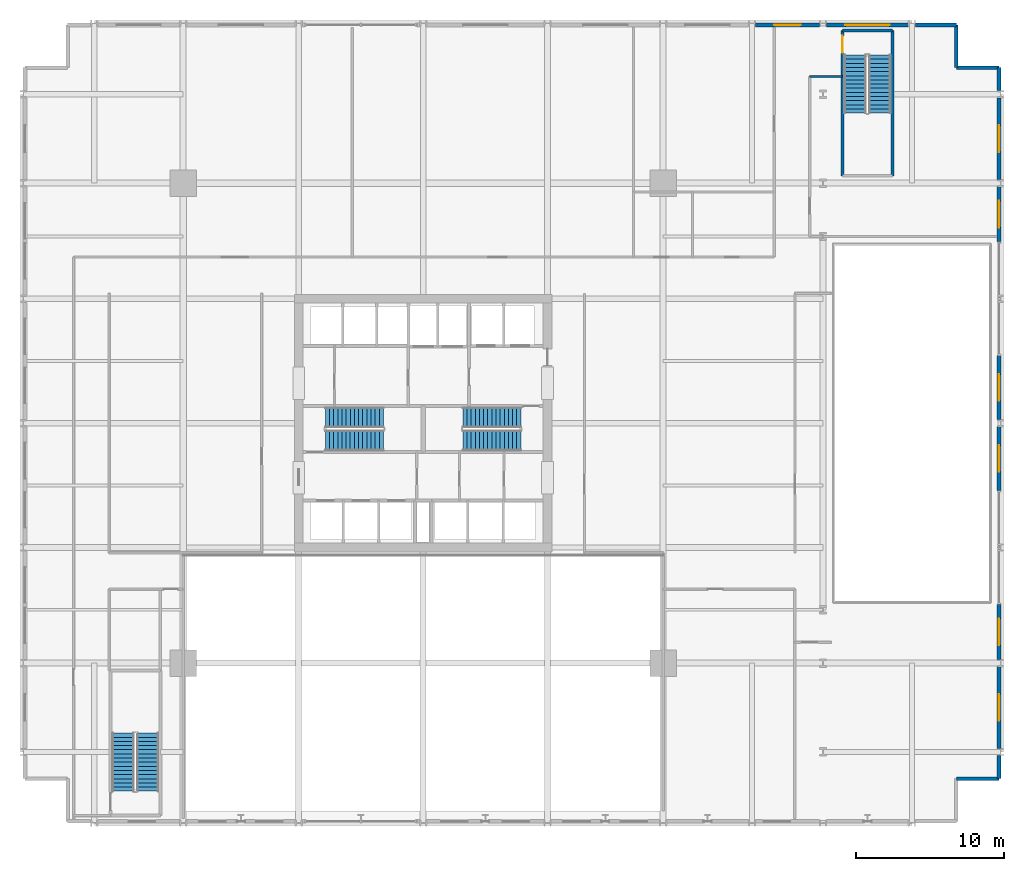
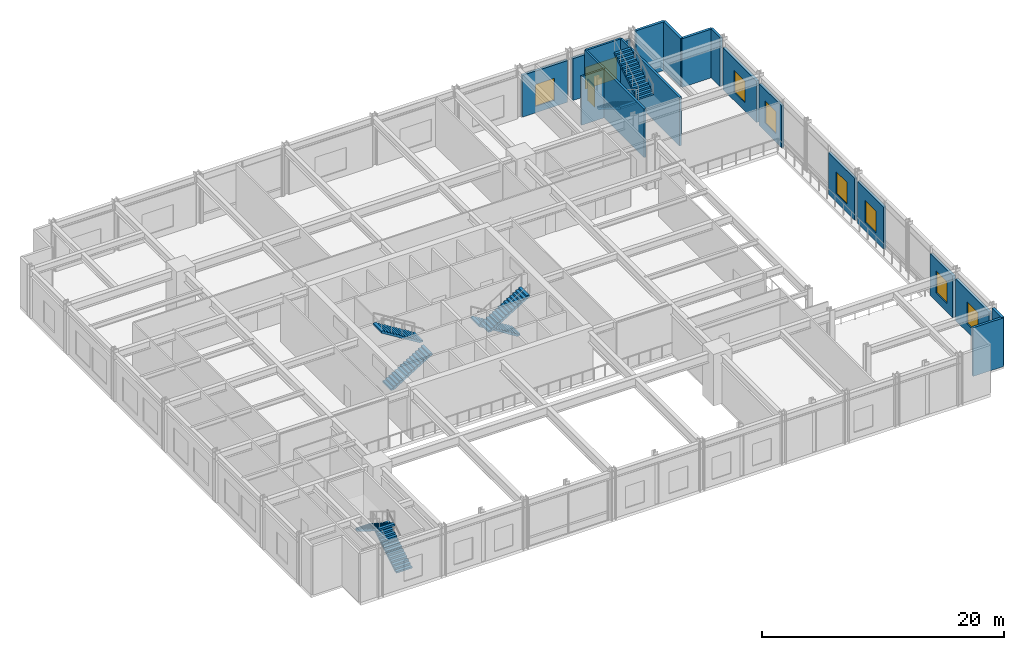
# One storey, part 14 of 19: 18 walls, 8 stair flights, 8 windows, 1 door, 9 openings, 4 elements without a shape of their own.
"""IFC4 building model written with IfcOpenShell, lengths in metres."""

from ifc_helpers import new_model, si_unit, direction, frame, frame_2d, origin, place, context, subcontext, project, spatial, polyline, rectangle, outline, extrude, material, layer, layer_set, type_object, element, fill, aggregate, save


model = new_model("IFC4")

# Units and contexts
model_context = context("Model", 3, precision=1e-05, world=origin(), true_north=direction((0.0, 1.0)))
body_context = subcontext(model_context, "Body", "Model", "MODEL_VIEW")
ifc_project = project(units=[si_unit("LENGTHUNIT", "METRE"), si_unit("AREAUNIT", "SQUARE_METRE"), si_unit("VOLUMEUNIT", "CUBIC_METRE"), si_unit("PLANEANGLEUNIT", "RADIAN"), si_unit("MASSUNIT", "GRAM", prefix="KILO")], contexts=[model_context])

# Site, building, storey
site_placement = place(None, origin())
site = spatial("IfcSite", under=ifc_project, at=site_placement, CompositionType="ELEMENT")
building_placement = place(site_placement, origin())
building = spatial("IfcBuilding", under=site, at=building_placement, Name="Drelvath Grand Hotel", CompositionType="ELEMENT")
storey_placement = place(building_placement, frame((0.0, 0.0, 17.199951171875)))
storey = spatial("IfcBuildingStorey", under=building, at=storey_placement, Name="L03", CompositionType="ELEMENT", Elevation=17.199951171875)

# Wall, opening, door
ifc_material_1 = material(Name="Concrete C40/50", Category="concrete")
ifc_layer_1 = layer(ifc_material_1, 0.199951171875)
ifc_layer_set_1 = layer_set([ifc_layer_1], Name="Concrete C40/50")
wall_type_1 = type_object("IfcWallType", Name="Core Shaft Fire Wall 200", PredefinedType="SOLIDWALL", material=ifc_layer_set_1)
wall_1_placement = place(storey_placement, frame((28.320068359375, 43.699951171875, 0.0), z_axis=(0.0, 0.0, 1.0), x_axis=(0.0, 1.0, 0.0)))
wall_1 = element("IfcWall", 1, at=wall_1_placement, inside=storey, type_object=wall_type_1, Name="L03 Stair ST-4 West Wall", PredefinedType="SOLIDWALL", context=body_context, shape_type="SweptSolid", body=[
    extrude(rectangle(XDim=9.800048828125, YDim=0.199951171875, at=frame_2d((4.89990234375, 0.0))), origin(), (0.0, 0.0, 1.0), 4.900146484375),
])
opening_1_placement = place(wall_1_placement, frame((8.300048828125, 0.0, 0.0)))
opening_1 = element("IfcOpeningElement", 2, at=opening_1_placement, cuts=wall_1, Name="Opening D-L03-019", PredefinedType="OPENING", context=body_context, shape_type="SweptSolid", body=[
    extrude(rectangle(XDim=1.14990234375, YDim=2.14990234375, at=frame_2d((0.574951171875, 1.074951171875))), frame((0.0, 0.10986328125, 0.0), z_axis=(0.0, -1.0, 0.0), x_axis=(1.0, 0.0, 0.0)), (0.0, 0.0, 1.0), 0.219970703125),
])
ifc_material_2 = material(Name="Painted Steel S275", Category="steel")
door_type = type_object("IfcDoorType", Name="Podium Stairwell Fire Door 1150x2150", OperationType="NOTDEFINED", PredefinedType="DOOR", material=ifc_material_2)
door_placement = place(opening_1_placement, origin())
door = element("IfcDoor", 3, at=door_placement, inside=storey, type_object=door_type, Name="L03 Exit Stair ST-4 Entry Door", OperationType="SINGLE_SWING_RIGHT", OverallHeight=2.14990234375, OverallWidth=1.14990234375, PredefinedType="DOOR", context=body_context, shape_type="SweptSolid", body=[
    extrude(rectangle(XDim=1.14990234375, YDim=2.14990234375, at=frame_2d((0.574951171875, 1.074951171875))), frame((0.0, 0.02490234375, 0.0), z_axis=(0.0, -1.0, 0.0), x_axis=(1.0, 0.0, 0.0)), (0.0, 0.0, 1.0), 0.050048828125),
])
fill(opening_1, door)

# Walls
wall_2_placement = place(storey_placement, frame((31.679931640625, 53.5, 0.0), z_axis=(0.0, 0.0, 1.0), x_axis=(0.0, -1.0, 0.0)))
element("IfcWall", 4, at=wall_2_placement, inside=storey, type_object=wall_type_1, Name="L03 Stair ST-4 East Wall", PredefinedType="SOLIDWALL", context=body_context, shape_type="SweptSolid", body=[
    extrude(rectangle(XDim=9.800048828125, YDim=0.199951171875, at=frame_2d((4.89990234375, 0.0))), origin(), (0.0, 0.0, 1.0), 4.900146484375),
])
wall_3_placement = place(storey_placement, frame((31.679931640625, 53.5, 0.0), z_axis=(0.0, 0.0, 1.0), x_axis=(-1.0, 0.0, 0.0)))
element("IfcWall", 5, at=wall_3_placement, inside=storey, type_object=wall_type_1, Name="L03 Stair ST-4 North Wall", PredefinedType="SOLIDWALL", context=body_context, shape_type="SweptSolid", body=[
    extrude(rectangle(XDim=3.35986328125, YDim=0.199951171875, at=frame_2d((1.679931640625, 0.0))), origin(), (0.0, 0.0, 1.0), 4.900146484375),
])
ifc_material_3 = material(Name="Insulated Granite Rainscreen Assembly", Category="masonry")
ifc_layer_2 = layer(ifc_material_3, 0.239990234375)
ifc_layer_set_2 = layer_set([ifc_layer_2], Name="Insulated Granite Rainscreen Assembly")
wall_type_2 = type_object("IfcWallType", Name="Podium Granite Rainscreen Exterior Wall 240", PredefinedType="STANDARD", material=ifc_layer_set_2)
wall_4_placement = place(storey_placement, frame((38.8798828125, 4.55908203125, 0.0), z_axis=(0.0, 0.0, 1.0), x_axis=(0.0, -1.0, 0.0)))
element("IfcWall", 6, at=wall_4_placement, inside=storey, type_object=wall_type_2, Name="L03 East Podium Granite Wall 1", PredefinedType="STANDARD", context=body_context, shape_type="SweptSolid", body=[
    extrude(rectangle(XDim=1.55908203125, YDim=0.239990234375, at=frame_2d((0.779541015625, 0.0))), origin(), (0.0, 0.0, 1.0), 4.900146484375),
])

# Wall, opening, window
wall_5_placement = place(storey_placement, frame((38.8798828125, 10.55908203125, 0.0), z_axis=(0.0, 0.0, 1.0), x_axis=(0.0, -1.0, 0.0)))
wall_5 = element("IfcWall", 7, at=wall_5_placement, inside=storey, type_object=wall_type_2, Name="L03 East Podium Granite Wall 2", PredefinedType="STANDARD", context=body_context, shape_type="SweptSolid", body=[
    extrude(rectangle(XDim=5.51806640625, YDim=0.239990234375, at=frame_2d((2.759033203125, 0.0))), origin(), (0.0, 0.0, 1.0), 4.20458984375),
])
opening_2_placement = place(wall_5_placement, frame((1.859130859375, 0.0, 0.85009765625)))
opening_2 = element("IfcOpeningElement", 8, at=opening_2_placement, cuts=wall_5, Name="Opening W-02", PredefinedType="OPENING", context=body_context, shape_type="SweptSolid", body=[
    extrude(rectangle(XDim=1.800048828125, YDim=2.199951171875, at=frame_2d((0.89990234375, 1.10009765625))), frame((0.0, 0.1298828125, 0.0), z_axis=(0.0, -1.0, 0.0), x_axis=(1.0, 0.0, 0.0)), (0.0, 0.0, 1.0), 0.260009765625),
])
ifc_material_4 = material(Name="Bronze Anodised Low-E Triple Glazing", Category="glass")
window_type_1 = type_object("IfcWindowType", Name="Chicago Double-Pane Podium Window 1800x2400", PartitioningType="DOUBLE_PANEL_VERTICAL", PredefinedType="WINDOW", material=ifc_material_4)
window_1_placement = place(opening_2_placement, origin())
window_1 = element("IfcWindow", 9, at=window_1_placement, inside=storey, type_object=window_type_1, Name="L03 East Podium Window 2", OverallHeight=2.199951171875, OverallWidth=1.800048828125, PartitioningType="SINGLE_PANEL", PredefinedType="WINDOW", context=body_context, shape_type="SweptSolid", body=[
    extrude(rectangle(XDim=1.800048828125, YDim=2.199951171875, at=frame_2d((0.89990234375, 1.10009765625))), frame((0.0, 0.030029296875, 0.0), z_axis=(0.0, -1.0, 0.0), x_axis=(1.0, 0.0, 0.0)), (0.0, 0.0, 1.0), 0.06005859375),
])
fill(opening_2, window_1)

wall_6_placement = place(storey_placement, frame((38.8798828125, 14.75, 0.0), z_axis=(0.0, 0.0, 1.0), x_axis=(0.0, -1.0, 0.0)))
wall_6 = element("IfcWall", 10, at=wall_6_placement, inside=storey, type_object=wall_type_2, Name="L03 East Podium Granite Wall 3", PredefinedType="STANDARD", context=body_context, shape_type="SweptSolid", body=[
    extrude(rectangle(XDim=3.708984375, YDim=0.239990234375, at=frame_2d((1.8544921875, 0.0))), origin(), (0.0, 0.0, 1.0), 4.20458984375),
])
opening_3_placement = place(wall_6_placement, frame((0.95458984375, 0.0, 0.85009765625)))
opening_3 = element("IfcOpeningElement", 11, at=opening_3_placement, cuts=wall_6, Name="Opening W-02", PredefinedType="OPENING", context=body_context, shape_type="SweptSolid", body=[
    extrude(rectangle(XDim=1.800048828125, YDim=2.199951171875, at=frame_2d((0.89990234375, 1.10009765625))), frame((0.0, 0.1298828125, 0.0), z_axis=(0.0, -1.0, 0.0), x_axis=(1.0, 0.0, 0.0)), (0.0, 0.0, 1.0), 0.260009765625),
])
window_2_placement = place(opening_3_placement, origin())
window_2 = element("IfcWindow", 12, at=window_2_placement, inside=storey, type_object=window_type_1, Name="L03 East Podium Window 3", OverallHeight=2.199951171875, OverallWidth=1.800048828125, PartitioningType="SINGLE_PANEL", PredefinedType="WINDOW", context=body_context, shape_type="SweptSolid", body=[
    extrude(rectangle(XDim=1.800048828125, YDim=2.199951171875, at=frame_2d((0.89990234375, 1.10009765625))), frame((0.0, 0.030029296875, 0.0), z_axis=(0.0, -1.0, 0.0), x_axis=(1.0, 0.0, 0.0)), (0.0, 0.0, 1.0), 0.06005859375),
])
fill(opening_3, window_2)

wall_7_placement = place(storey_placement, frame((38.8798828125, 26.759033203125, 0.0), z_axis=(0.0, 0.0, 1.0), x_axis=(0.0, -1.0, 0.0)))
wall_7 = element("IfcWall", 13, at=wall_7_placement, inside=storey, type_object=wall_type_2, Name="L03 East Podium Granite Wall 4", PredefinedType="STANDARD", context=body_context, shape_type="SweptSolid", body=[
    extrude(rectangle(XDim=4.30908203125, YDim=0.239990234375, at=frame_2d((2.154541015625, 0.0))), origin(), (0.0, 0.0, 1.0), 4.20458984375),
])
opening_4_placement = place(wall_7_placement, frame((1.254638671875, 0.0, 0.85009765625)))
opening_4 = element("IfcOpeningElement", 14, at=opening_4_placement, cuts=wall_7, Name="Opening W-02", PredefinedType="OPENING", context=body_context, shape_type="SweptSolid", body=[
    extrude(rectangle(XDim=1.800048828125, YDim=2.199951171875, at=frame_2d((0.89990234375, 1.10009765625))), frame((0.0, 0.1298828125, 0.0), z_axis=(0.0, -1.0, 0.0), x_axis=(1.0, 0.0, 0.0)), (0.0, 0.0, 1.0), 0.260009765625),
])
window_3_placement = place(opening_4_placement, origin())
window_3 = element("IfcWindow", 15, at=window_3_placement, inside=storey, type_object=window_type_1, Name="L03 East Podium Window 4", OverallHeight=2.199951171875, OverallWidth=1.800048828125, PartitioningType="SINGLE_PANEL", PredefinedType="WINDOW", context=body_context, shape_type="SweptSolid", body=[
    extrude(rectangle(XDim=1.800048828125, YDim=2.199951171875, at=frame_2d((0.89990234375, 1.10009765625))), frame((0.0, 0.030029296875, 0.0), z_axis=(0.0, -1.0, 0.0), x_axis=(1.0, 0.0, 0.0)), (0.0, 0.0, 1.0), 0.06005859375),
])
fill(opening_4, window_3)

wall_8_placement = place(storey_placement, frame((38.8798828125, 31.550048828125, 0.0), z_axis=(0.0, 0.0, 1.0), x_axis=(0.0, -1.0, 0.0)))
wall_8 = element("IfcWall", 16, at=wall_8_placement, inside=storey, type_object=wall_type_2, Name="L03 East Podium Granite Wall 5", PredefinedType="STANDARD", context=body_context, shape_type="SweptSolid", body=[
    extrude(rectangle(XDim=4.30908203125, YDim=0.239990234375, at=frame_2d((2.154541015625, 0.0))), origin(), (0.0, 0.0, 1.0), 4.20458984375),
])
opening_5_placement = place(wall_8_placement, frame((1.254638671875, 0.0, 0.85009765625)))
opening_5 = element("IfcOpeningElement", 17, at=opening_5_placement, cuts=wall_8, Name="Opening W-02", PredefinedType="OPENING", context=body_context, shape_type="SweptSolid", body=[
    extrude(rectangle(XDim=1.800048828125, YDim=2.199951171875, at=frame_2d((0.89990234375, 1.10009765625))), frame((0.0, 0.1298828125, 0.0), z_axis=(0.0, -1.0, 0.0), x_axis=(1.0, 0.0, 0.0)), (0.0, 0.0, 1.0), 0.260009765625),
])
window_4_placement = place(opening_5_placement, origin())
window_4 = element("IfcWindow", 18, at=window_4_placement, inside=storey, type_object=window_type_1, Name="L03 East Podium Window 5", OverallHeight=2.199951171875, OverallWidth=1.800048828125, PartitioningType="SINGLE_PANEL", PredefinedType="WINDOW", context=body_context, shape_type="SweptSolid", body=[
    extrude(rectangle(XDim=1.800048828125, YDim=2.199951171875, at=frame_2d((0.89990234375, 1.10009765625))), frame((0.0, 0.030029296875, 0.0), z_axis=(0.0, -1.0, 0.0), x_axis=(1.0, 0.0, 0.0)), (0.0, 0.0, 1.0), 0.06005859375),
])
fill(opening_5, window_4)

wall_9_placement = place(storey_placement, frame((38.8798828125, 42.958984375, 0.0), z_axis=(0.0, 0.0, 1.0), x_axis=(0.0, -1.0, 0.0)))
wall_9 = element("IfcWall", 19, at=wall_9_placement, inside=storey, type_object=wall_type_2, Name="L03 East Podium Granite Wall 6", PredefinedType="STANDARD", context=body_context, shape_type="SweptSolid", body=[
    extrude(rectangle(XDim=3.708984375, YDim=0.239990234375, at=frame_2d((1.8544921875, 0.0))), origin(), (0.0, 0.0, 1.0), 4.20458984375),
])
opening_6_placement = place(wall_9_placement, frame((0.95458984375, 0.0, 0.85009765625)))
opening_6 = element("IfcOpeningElement", 20, at=opening_6_placement, cuts=wall_9, Name="Opening W-02", PredefinedType="OPENING", context=body_context, shape_type="SweptSolid", body=[
    extrude(rectangle(XDim=1.800048828125, YDim=2.199951171875, at=frame_2d((0.89990234375, 1.10009765625))), frame((0.0, 0.1298828125, 0.0), z_axis=(0.0, -1.0, 0.0), x_axis=(1.0, 0.0, 0.0)), (0.0, 0.0, 1.0), 0.260009765625),
])
window_5_placement = place(opening_6_placement, origin())
window_5 = element("IfcWindow", 21, at=window_5_placement, inside=storey, type_object=window_type_1, Name="L03 East Podium Window 6", OverallHeight=2.199951171875, OverallWidth=1.800048828125, PartitioningType="SINGLE_PANEL", PredefinedType="WINDOW", context=body_context, shape_type="SweptSolid", body=[
    extrude(rectangle(XDim=1.800048828125, YDim=2.199951171875, at=frame_2d((0.89990234375, 1.10009765625))), frame((0.0, 0.030029296875, 0.0), z_axis=(0.0, -1.0, 0.0), x_axis=(1.0, 0.0, 0.0)), (0.0, 0.0, 1.0), 0.06005859375),
])
fill(opening_6, window_5)

wall_10_placement = place(storey_placement, frame((38.8798828125, 48.958984375, 0.0), z_axis=(0.0, 0.0, 1.0), x_axis=(0.0, -1.0, 0.0)))
wall_10 = element("IfcWall", 22, at=wall_10_placement, inside=storey, type_object=wall_type_2, Name="L03 East Podium Granite Wall 7", PredefinedType="STANDARD", context=body_context, shape_type="SweptSolid", body=[
    extrude(rectangle(XDim=5.51806640625, YDim=0.239990234375, at=frame_2d((2.759033203125, 0.0))), origin(), (0.0, 0.0, 1.0), 4.20458984375),
])
opening_7_placement = place(wall_10_placement, frame((1.859130859375, 0.0, 0.85009765625)))
opening_7 = element("IfcOpeningElement", 23, at=opening_7_placement, cuts=wall_10, Name="Opening W-02", PredefinedType="OPENING", context=body_context, shape_type="SweptSolid", body=[
    extrude(rectangle(XDim=1.800048828125, YDim=2.199951171875, at=frame_2d((0.89990234375, 1.10009765625))), frame((0.0, 0.1298828125, 0.0), z_axis=(0.0, -1.0, 0.0), x_axis=(1.0, 0.0, 0.0)), (0.0, 0.0, 1.0), 0.260009765625),
])
window_6_placement = place(opening_7_placement, origin())
window_6 = element("IfcWindow", 24, at=window_6_placement, inside=storey, type_object=window_type_1, Name="L03 East Podium Window 7", OverallHeight=2.199951171875, OverallWidth=1.800048828125, PartitioningType="SINGLE_PANEL", PredefinedType="WINDOW", context=body_context, shape_type="SweptSolid", body=[
    extrude(rectangle(XDim=1.800048828125, YDim=2.199951171875, at=frame_2d((0.89990234375, 1.10009765625))), frame((0.0, 0.030029296875, 0.0), z_axis=(0.0, -1.0, 0.0), x_axis=(1.0, 0.0, 0.0)), (0.0, 0.0, 1.0), 0.06005859375),
])
fill(opening_7, window_6)

# Wall
wall_11_placement = place(storey_placement, frame((38.8798828125, 51.0, 0.0), z_axis=(0.0, 0.0, 1.0), x_axis=(0.0, -1.0, 0.0)))
element("IfcWall", 25, at=wall_11_placement, inside=storey, type_object=wall_type_2, Name="L03 East Podium Granite Wall 8", PredefinedType="STANDARD", context=body_context, shape_type="SweptSolid", body=[
    extrude(rectangle(XDim=1.55908203125, YDim=0.239990234375, at=frame_2d((0.779541015625, 0.0))), origin(), (0.0, 0.0, 1.0), 4.900146484375),
])

# Wall, opening, window
wall_12_placement = place(storey_placement, frame((22.44091796875, 53.8798828125, 0.0), z_axis=(0.0, 0.0, 1.0), x_axis=(1.0, 0.0, 0.0)))
wall_12 = element("IfcWall", 26, at=wall_12_placement, inside=storey, type_object=wall_type_2, Name="L03 North Podium Granite Wall 9", PredefinedType="STANDARD", context=body_context, shape_type="SweptSolid", body=[
    extrude(rectangle(XDim=4.318115234375, YDim=0.239990234375, at=frame_2d((2.1591796875, 0.0))), origin(), (0.0, 0.0, 1.0), 4.20458984375),
])
opening_8_placement = place(wall_12_placement, frame((1.259033203125, 0.0, 0.64990234375)))
opening_8 = element("IfcOpeningElement", 27, at=opening_8_placement, cuts=wall_12, Name="Opening W-02", PredefinedType="OPENING", context=body_context, shape_type="SweptSolid", body=[
    extrude(rectangle(XDim=1.800048828125, YDim=2.199951171875, at=frame_2d((0.89990234375, 1.10009765625))), frame((0.0, 0.1298828125, 0.0), z_axis=(0.0, -1.0, 0.0), x_axis=(1.0, 0.0, 0.0)), (0.0, 0.0, 1.0), 0.260009765625),
])
window_7_placement = place(opening_8_placement, origin())
window_7 = element("IfcWindow", 28, at=window_7_placement, inside=storey, type_object=window_type_1, Name="L03 North Chicago Window 9", OverallHeight=2.199951171875, OverallWidth=1.800048828125, PartitioningType="SINGLE_PANEL", PredefinedType="WINDOW", context=body_context, shape_type="SweptSolid", body=[
    extrude(rectangle(XDim=1.800048828125, YDim=2.199951171875, at=frame_2d((0.89990234375, 1.10009765625))), frame((0.0, 0.030029296875, 0.0), z_axis=(0.0, -1.0, 0.0), x_axis=(1.0, 0.0, 0.0)), (0.0, 0.0, 1.0), 0.06005859375),
])
fill(opening_8, window_7)

wall_13_placement = place(storey_placement, frame((27.240966796875, 53.8798828125, 0.0), z_axis=(0.0, 0.0, 1.0), x_axis=(1.0, 0.0, 0.0)))
wall_13 = element("IfcWall", 29, at=wall_13_placement, inside=storey, type_object=wall_type_2, Name="L03 North Podium Granite Wall 10", PredefinedType="STANDARD", context=body_context, shape_type="SweptSolid", body=[
    extrude(rectangle(XDim=5.51806640625, YDim=0.239990234375, at=frame_2d((2.759033203125, 0.0))), origin(), (0.0, 0.0, 1.0), 4.20458984375),
])
opening_9_placement = place(wall_13_placement, frame((1.259033203125, 0.0, 0.64990234375)))
opening_9 = element("IfcOpeningElement", 30, at=opening_9_placement, cuts=wall_13, Name="Opening W-03", PredefinedType="OPENING", context=body_context, shape_type="SweptSolid", body=[
    extrude(rectangle(XDim=3.0, YDim=2.199951171875, at=frame_2d((1.5, 1.10009765625))), frame((0.0, 0.1298828125, 0.0), z_axis=(0.0, -1.0, 0.0), x_axis=(1.0, 0.0, 0.0)), (0.0, 0.0, 1.0), 0.260009765625),
])
window_type_2 = type_object("IfcWindowType", Name="Podium Clerestory Ribbon Window 3000x2200", PartitioningType="TRIPLE_PANEL_VERTICAL", PredefinedType="WINDOW", material=ifc_material_4)
window_8_placement = place(opening_9_placement, origin())
window_8 = element("IfcWindow", 31, at=window_8_placement, inside=storey, type_object=window_type_2, Name="L03 North Chicago Window 10", OverallHeight=2.199951171875, OverallWidth=3.0, PartitioningType="SINGLE_PANEL", PredefinedType="WINDOW", context=body_context, shape_type="SweptSolid", body=[
    extrude(rectangle(XDim=3.0, YDim=2.199951171875, at=frame_2d((1.5, 1.10009765625))), frame((0.0, 0.030029296875, 0.0), z_axis=(0.0, -1.0, 0.0), x_axis=(1.0, 0.0, 0.0)), (0.0, 0.0, 1.0), 0.06005859375),
])
fill(opening_9, window_8)

# Walls
wall_14_placement = place(storey_placement, frame((33.240966796875, 53.8798828125, 0.0), z_axis=(0.0, 0.0, 1.0), x_axis=(1.0, 0.0, 0.0)))
element("IfcWall", 32, at=wall_14_placement, inside=storey, type_object=wall_type_2, Name="L03 North Podium Granite Wall 11", PredefinedType="STANDARD", context=body_context, shape_type="SweptSolid", body=[
    extrude(rectangle(XDim=2.759033203125, YDim=0.239990234375, at=frame_2d((1.37939453125, 0.0))), origin(), (0.0, 0.0, 1.0), 4.900146484375),
])
for number, where, z_axis, x_axis, name in (
    (33, (36.0, 53.8798828125, 0.0), (0.0, 0.0, 1.0), (0.0, -1.0, 0.0), "L03 Podium Corner Return Wall CNE1"),
    (34, (36.0, 51.0, 0.0), (0.0, 0.0, 1.0), (1.0, 0.0, 0.0), "L03 Podium Corner Return Wall CNE2"),
    (35, (38.8798828125, 3.0, 0.0), (0.0, 0.0, 1.0), (-1.0, 0.0, 0.0), "L03 Podium Corner Return Wall CSE1"),
):
    element("IfcWall", number, at=place(storey_placement, frame(where, z_axis=z_axis, x_axis=x_axis)), inside=storey, type_object=wall_type_2, Name=name, PredefinedType="STANDARD", context=body_context, shape_type="SweptSolid", body=[
        extrude(rectangle(XDim=2.8798828125, YDim=0.239990234375, at=frame_2d((1.43994140625, 0.0))), origin(), (0.0, 0.0, 1.0), 4.900146484375),
    ])
ifc_material_5 = material(Name="Gypsum Acoustic Partition")
ifc_layer_3 = layer(ifc_material_5, 0.1650390625)
ifc_layer_set_3 = layer_set([ifc_layer_3], Name="Gypsum Acoustic Partition")
wall_type_3 = type_object("IfcWallType", Name="Suite Demising Wall 165", PredefinedType="PARTITIONING", material=ifc_layer_set_3)
wall_15_placement = place(storey_placement, frame((26.10009765625, 50.39990234375, 0.0), z_axis=(0.0, 0.0, 1.0), x_axis=(1.0, 0.0, 0.0)))
element("IfcWall", 36, at=wall_15_placement, inside=storey, type_object=wall_type_3, Name="L03 ST-4 Vestibule South Wall", PredefinedType="PARTITIONING", context=body_context, shape_type="SweptSolid", body=[
    extrude(rectangle(XDim=2.219970703125, YDim=0.1650390625, at=frame_2d((1.10986328125, 0.0))), origin(), (0.0, 0.0, 1.0), 4.900146484375),
])

# Stair, stair flights
stair_type_1 = type_object("IfcStairType", Name="Dogleg Exit Stair W1400-R173.3", PredefinedType="HALF_TURN_STAIR", material=ifc_material_1)
stair_1_placement = place(storey_placement, origin())
stair_1 = element("IfcStair", 37, at=stair_1_placement, inside=storey, type_object=stair_type_1, Name="L03 Core Exit Stair ST-1", PredefinedType="HALF_TURN_STAIR")
stair_flight_type_1 = type_object("IfcStairFlightType", Name="Concrete Stair Flight W1400-R173.3", PredefinedType="STRAIGHT", material=ifc_material_1)
stair_flight_1_placement = place(storey_placement, frame((-6.60009765625, 25.820068359375, 0.0), z_axis=(0.0, 0.0, 1.0), x_axis=(1.0, 0.0, 0.0)))
stair_flight_1 = element("IfcStairFlight", 38, at=stair_flight_1_placement, type_object=stair_flight_type_1, Name="ST-1 flight 1", NumberOfRisers=15, NumberOfTreads=14, PredefinedType="STRAIGHT", RiserHeight=0.173333333, TreadLength=0.28, context=body_context, shape_type="SweptSolid", body=[
    extrude(outline(polyline([(0.0, 0.0), (0.0, 0.17333984375), (0.280029296875, 0.17333984375), (0.280029296875, 0.3466796875), (0.56005859375, 0.3466796875), (0.56005859375, 0.52001953125), (0.840087890625, 0.52001953125), (0.840087890625, 0.693359375), (1.1201171875, 0.693359375), (1.1201171875, 0.86669921875), (1.39990234375, 0.86669921875), (1.39990234375, 1.0400390625), (1.679931640625, 1.0400390625), (1.679931640625, 1.21337890625), (1.9599609375, 1.21337890625), (1.9599609375, 1.38671875), (2.239990234375, 1.38671875), (2.239990234375, 1.56005859375), (2.52001953125, 1.56005859375), (2.52001953125, 1.7333984375), (2.800048828125, 1.7333984375), (2.800048828125, 1.90673828125), (3.080078125, 1.90673828125), (3.080078125, 2.080078125), (3.360107421875, 2.080078125), (3.360107421875, 2.25341796875), (3.639892578125, 2.25341796875), (3.639892578125, 2.4267578125), (3.919921875, 2.4267578125), (3.919921875, 2.60009765625), (3.919921875, 2.238525390625), (0.3037109375, 0.0), (0.0, 0.0)])), frame((0.0, 0.699951171875, 0.0), z_axis=(0.0, -1.0, 0.0), x_axis=(1.0, 0.0, 0.0)), (0.0, 0.0, 1.0), 1.39990234375),
])
stair_flight_2_placement = place(storey_placement, frame((-2.679931640625, 27.3798828125, 2.60009765625), z_axis=(0.0, 0.0, 1.0), x_axis=(-1.0, 0.0, 0.0)))
stair_flight_2 = element("IfcStairFlight", 39, at=stair_flight_2_placement, type_object=stair_flight_type_1, Name="ST-1 flight 2", NumberOfRisers=15, NumberOfTreads=14, PredefinedType="STRAIGHT", RiserHeight=0.173333333, TreadLength=0.28, context=body_context, shape_type="SweptSolid", body=[
    extrude(outline(polyline([(0.0, 0.0), (0.0, 0.17333984375), (0.280029296875, 0.17333984375), (0.280029296875, 0.3466796875), (0.56005859375, 0.3466796875), (0.56005859375, 0.52001953125), (0.840087890625, 0.52001953125), (0.840087890625, 0.693359375), (1.1201171875, 0.693359375), (1.1201171875, 0.86669921875), (1.39990234375, 0.86669921875), (1.39990234375, 1.0400390625), (1.679931640625, 1.0400390625), (1.679931640625, 1.21337890625), (1.9599609375, 1.21337890625), (1.9599609375, 1.38671875), (2.239990234375, 1.38671875), (2.239990234375, 1.56005859375), (2.52001953125, 1.56005859375), (2.52001953125, 1.7333984375), (2.800048828125, 1.7333984375), (2.800048828125, 1.90673828125), (3.080078125, 1.90673828125), (3.080078125, 2.080078125), (3.360107421875, 2.080078125), (3.360107421875, 2.25341796875), (3.639892578125, 2.25341796875), (3.639892578125, 2.4267578125), (3.919921875, 2.4267578125), (3.919921875, 2.60009765625), (3.919921875, 2.238525390625), (0.3037109375, 0.0), (0.0, 0.0)])), frame((0.0, 0.699951171875, 0.0), z_axis=(0.0, -1.0, 0.0), x_axis=(1.0, 0.0, 0.0)), (0.0, 0.0, 1.0), 1.39990234375),
])
aggregate(stair_1, [stair_flight_1, stair_flight_2])

stair_2_placement = place(storey_placement, origin())
stair_2 = element("IfcStair", 40, at=stair_2_placement, inside=storey, type_object=stair_type_1, Name="L03 Core Exit Stair ST-2", PredefinedType="HALF_TURN_STAIR")
stair_flight_3_placement = place(storey_placement, frame((6.60009765625, 27.3798828125, 0.0), z_axis=(0.0, 0.0, 1.0), x_axis=(-1.0, 0.0, 0.0)))
stair_flight_3 = element("IfcStairFlight", 41, at=stair_flight_3_placement, type_object=stair_flight_type_1, Name="ST-2 flight 1", NumberOfRisers=15, NumberOfTreads=14, PredefinedType="STRAIGHT", RiserHeight=0.173333333, TreadLength=0.28, context=body_context, shape_type="SweptSolid", body=[
    extrude(outline(polyline([(0.0, 0.0), (0.0, 0.17333984375), (0.280029296875, 0.17333984375), (0.280029296875, 0.3466796875), (0.56005859375, 0.3466796875), (0.56005859375, 0.52001953125), (0.840087890625, 0.52001953125), (0.840087890625, 0.693359375), (1.1201171875, 0.693359375), (1.1201171875, 0.86669921875), (1.39990234375, 0.86669921875), (1.39990234375, 1.0400390625), (1.679931640625, 1.0400390625), (1.679931640625, 1.21337890625), (1.9599609375, 1.21337890625), (1.9599609375, 1.38671875), (2.239990234375, 1.38671875), (2.239990234375, 1.56005859375), (2.52001953125, 1.56005859375), (2.52001953125, 1.7333984375), (2.800048828125, 1.7333984375), (2.800048828125, 1.90673828125), (3.080078125, 1.90673828125), (3.080078125, 2.080078125), (3.360107421875, 2.080078125), (3.360107421875, 2.25341796875), (3.639892578125, 2.25341796875), (3.639892578125, 2.4267578125), (3.919921875, 2.4267578125), (3.919921875, 2.60009765625), (3.919921875, 2.238525390625), (0.3037109375, 0.0), (0.0, 0.0)])), frame((0.0, 0.699951171875, 0.0), z_axis=(0.0, -1.0, 0.0), x_axis=(1.0, 0.0, 0.0)), (0.0, 0.0, 1.0), 1.39990234375),
])
stair_flight_4_placement = place(storey_placement, frame((2.679931640625, 25.820068359375, 2.60009765625), z_axis=(0.0, 0.0, 1.0), x_axis=(1.0, 0.0, 0.0)))
stair_flight_4 = element("IfcStairFlight", 42, at=stair_flight_4_placement, type_object=stair_flight_type_1, Name="ST-2 flight 2", NumberOfRisers=15, NumberOfTreads=14, PredefinedType="STRAIGHT", RiserHeight=0.173333333, TreadLength=0.28, context=body_context, shape_type="SweptSolid", body=[
    extrude(outline(polyline([(0.0, 0.0), (0.0, 0.17333984375), (0.280029296875, 0.17333984375), (0.280029296875, 0.3466796875), (0.56005859375, 0.3466796875), (0.56005859375, 0.52001953125), (0.840087890625, 0.52001953125), (0.840087890625, 0.693359375), (1.1201171875, 0.693359375), (1.1201171875, 0.86669921875), (1.39990234375, 0.86669921875), (1.39990234375, 1.0400390625), (1.679931640625, 1.0400390625), (1.679931640625, 1.21337890625), (1.9599609375, 1.21337890625), (1.9599609375, 1.38671875), (2.239990234375, 1.38671875), (2.239990234375, 1.56005859375), (2.52001953125, 1.56005859375), (2.52001953125, 1.7333984375), (2.800048828125, 1.7333984375), (2.800048828125, 1.90673828125), (3.080078125, 1.90673828125), (3.080078125, 2.080078125), (3.360107421875, 2.080078125), (3.360107421875, 2.25341796875), (3.639892578125, 2.25341796875), (3.639892578125, 2.4267578125), (3.919921875, 2.4267578125), (3.919921875, 2.60009765625), (3.919921875, 2.238525390625), (0.3037109375, 0.0), (0.0, 0.0)])), frame((0.0, 0.699951171875, 0.0), z_axis=(0.0, -1.0, 0.0), x_axis=(1.0, 0.0, 0.0)), (0.0, 0.0, 1.0), 1.39990234375),
])
aggregate(stair_2, [stair_flight_3, stair_flight_4])

stair_type_2 = type_object("IfcStairType", Name="Dogleg Exit Stair W1500-R173.3", PredefinedType="HALF_TURN_STAIR", material=ifc_material_1)
stair_3_placement = place(storey_placement, origin())
stair_3 = element("IfcStair", 43, at=stair_3_placement, inside=storey, type_object=stair_type_2, Name="L03 Podium Exit Stair ST-3", PredefinedType="HALF_TURN_STAIR")
stair_flight_type_2 = type_object("IfcStairFlightType", Name="Concrete Stair Flight W1500-R173.3", PredefinedType="STRAIGHT", material=ifc_material_1)
stair_flight_5_placement = place(storey_placement, frame((-18.590087890625, 2.14990234375, 0.0), z_axis=(0.0, 0.0, 1.0), x_axis=(0.0, 1.0, 0.0)))
stair_flight_5 = element("IfcStairFlight", 44, at=stair_flight_5_placement, type_object=stair_flight_type_2, Name="ST-3 flight 1", NumberOfRisers=15, NumberOfTreads=14, PredefinedType="STRAIGHT", RiserHeight=0.173333333, TreadLength=0.28, context=body_context, shape_type="SweptSolid", body=[
    extrude(outline(polyline([(0.0, 0.0), (0.0, 0.17333984375), (0.280029296875, 0.17333984375), (0.280029296875, 0.3466796875), (0.56005859375, 0.3466796875), (0.56005859375, 0.52001953125), (0.840087890625, 0.52001953125), (0.840087890625, 0.693359375), (1.1201171875, 0.693359375), (1.1201171875, 0.86669921875), (1.39990234375, 0.86669921875), (1.39990234375, 1.0400390625), (1.679931640625, 1.0400390625), (1.679931640625, 1.21337890625), (1.9599609375, 1.21337890625), (1.9599609375, 1.38671875), (2.239990234375, 1.38671875), (2.239990234375, 1.56005859375), (2.52001953125, 1.56005859375), (2.52001953125, 1.7333984375), (2.800048828125, 1.7333984375), (2.800048828125, 1.90673828125), (3.080078125, 1.90673828125), (3.080078125, 2.080078125), (3.360107421875, 2.080078125), (3.360107421875, 2.25341796875), (3.639892578125, 2.25341796875), (3.639892578125, 2.4267578125), (3.919921875, 2.4267578125), (3.919921875, 2.60009765625), (3.919921875, 2.238525390625), (0.3037109375, 0.0), (0.0, 0.0)])), frame((0.0, 0.75, 0.0), z_axis=(0.0, -1.0, 0.0), x_axis=(1.0, 0.0, 0.0)), (0.0, 0.0, 1.0), 1.5),
])
stair_flight_6_placement = place(storey_placement, frame((-20.25, 6.070068359375, 2.60009765625), z_axis=(0.0, 0.0, 1.0), x_axis=(0.0, -1.0, 0.0)))
stair_flight_6 = element("IfcStairFlight", 45, at=stair_flight_6_placement, type_object=stair_flight_type_2, Name="ST-3 flight 2", NumberOfRisers=15, NumberOfTreads=14, PredefinedType="STRAIGHT", RiserHeight=0.173333333, TreadLength=0.28, context=body_context, shape_type="SweptSolid", body=[
    extrude(outline(polyline([(0.0, 0.0), (0.0, 0.17333984375), (0.280029296875, 0.17333984375), (0.280029296875, 0.3466796875), (0.56005859375, 0.3466796875), (0.56005859375, 0.52001953125), (0.840087890625, 0.52001953125), (0.840087890625, 0.693359375), (1.1201171875, 0.693359375), (1.1201171875, 0.86669921875), (1.39990234375, 0.86669921875), (1.39990234375, 1.0400390625), (1.679931640625, 1.0400390625), (1.679931640625, 1.21337890625), (1.9599609375, 1.21337890625), (1.9599609375, 1.38671875), (2.239990234375, 1.38671875), (2.239990234375, 1.56005859375), (2.52001953125, 1.56005859375), (2.52001953125, 1.7333984375), (2.800048828125, 1.7333984375), (2.800048828125, 1.90673828125), (3.080078125, 1.90673828125), (3.080078125, 2.080078125), (3.360107421875, 2.080078125), (3.360107421875, 2.25341796875), (3.639892578125, 2.25341796875), (3.639892578125, 2.4267578125), (3.919921875, 2.4267578125), (3.919921875, 2.60009765625), (3.919921875, 2.238525390625), (0.3037109375, 0.0), (0.0, 0.0)])), frame((0.0, 0.75, 0.0), z_axis=(0.0, -1.0, 0.0), x_axis=(1.0, 0.0, 0.0)), (0.0, 0.0, 1.0), 1.5),
])
aggregate(stair_3, [stair_flight_5, stair_flight_6])

stair_4_placement = place(storey_placement, origin())
stair_4 = element("IfcStair", 46, at=stair_4_placement, inside=storey, type_object=stair_type_2, Name="L03 Podium Exit Stair ST-4", PredefinedType="HALF_TURN_STAIR")
stair_flight_7_placement = place(storey_placement, frame((29.169921875, 51.85009765625, 0.0), z_axis=(0.0, 0.0, 1.0), x_axis=(0.0, -1.0, 0.0)))
stair_flight_7 = element("IfcStairFlight", 47, at=stair_flight_7_placement, type_object=stair_flight_type_2, Name="ST-4 flight 1", NumberOfRisers=15, NumberOfTreads=14, PredefinedType="STRAIGHT", RiserHeight=0.173333333, TreadLength=0.28, context=body_context, shape_type="SweptSolid", body=[
    extrude(outline(polyline([(0.0, 0.0), (0.0, 0.17333984375), (0.280029296875, 0.17333984375), (0.280029296875, 0.3466796875), (0.56005859375, 0.3466796875), (0.56005859375, 0.52001953125), (0.840087890625, 0.52001953125), (0.840087890625, 0.693359375), (1.1201171875, 0.693359375), (1.1201171875, 0.86669921875), (1.39990234375, 0.86669921875), (1.39990234375, 1.0400390625), (1.679931640625, 1.0400390625), (1.679931640625, 1.21337890625), (1.9599609375, 1.21337890625), (1.9599609375, 1.38671875), (2.239990234375, 1.38671875), (2.239990234375, 1.56005859375), (2.52001953125, 1.56005859375), (2.52001953125, 1.7333984375), (2.800048828125, 1.7333984375), (2.800048828125, 1.90673828125), (3.080078125, 1.90673828125), (3.080078125, 2.080078125), (3.360107421875, 2.080078125), (3.360107421875, 2.25341796875), (3.639892578125, 2.25341796875), (3.639892578125, 2.4267578125), (3.919921875, 2.4267578125), (3.919921875, 2.60009765625), (3.919921875, 2.238525390625), (0.3037109375, 0.0), (0.0, 0.0)])), frame((0.0, 0.75, 0.0), z_axis=(0.0, -1.0, 0.0), x_axis=(1.0, 0.0, 0.0)), (0.0, 0.0, 1.0), 1.5),
])
stair_flight_8_placement = place(storey_placement, frame((30.830078125, 47.929931640625, 2.60009765625), z_axis=(0.0, 0.0, 1.0), x_axis=(0.0, 1.0, 0.0)))
stair_flight_8 = element("IfcStairFlight", 48, at=stair_flight_8_placement, type_object=stair_flight_type_2, Name="ST-4 flight 2", NumberOfRisers=15, NumberOfTreads=14, PredefinedType="STRAIGHT", RiserHeight=0.173333333, TreadLength=0.28, context=body_context, shape_type="SweptSolid", body=[
    extrude(outline(polyline([(0.0, 0.0), (0.0, 0.17333984375), (0.280029296875, 0.17333984375), (0.280029296875, 0.3466796875), (0.56005859375, 0.3466796875), (0.56005859375, 0.52001953125), (0.840087890625, 0.52001953125), (0.840087890625, 0.693359375), (1.1201171875, 0.693359375), (1.1201171875, 0.86669921875), (1.39990234375, 0.86669921875), (1.39990234375, 1.0400390625), (1.679931640625, 1.0400390625), (1.679931640625, 1.21337890625), (1.9599609375, 1.21337890625), (1.9599609375, 1.38671875), (2.239990234375, 1.38671875), (2.239990234375, 1.56005859375), (2.52001953125, 1.56005859375), (2.52001953125, 1.7333984375), (2.800048828125, 1.7333984375), (2.800048828125, 1.90673828125), (3.080078125, 1.90673828125), (3.080078125, 2.080078125), (3.360107421875, 2.080078125), (3.360107421875, 2.25341796875), (3.639892578125, 2.25341796875), (3.639892578125, 2.4267578125), (3.919921875, 2.4267578125), (3.919921875, 2.60009765625), (3.919921875, 2.238525390625), (0.3037109375, 0.0), (0.0, 0.0)])), frame((0.0, 0.75, 0.0), z_axis=(0.0, -1.0, 0.0), x_axis=(1.0, 0.0, 0.0)), (0.0, 0.0, 1.0), 1.5),
])
aggregate(stair_4, [stair_flight_7, stair_flight_8])

save(model, "model.ifc")
